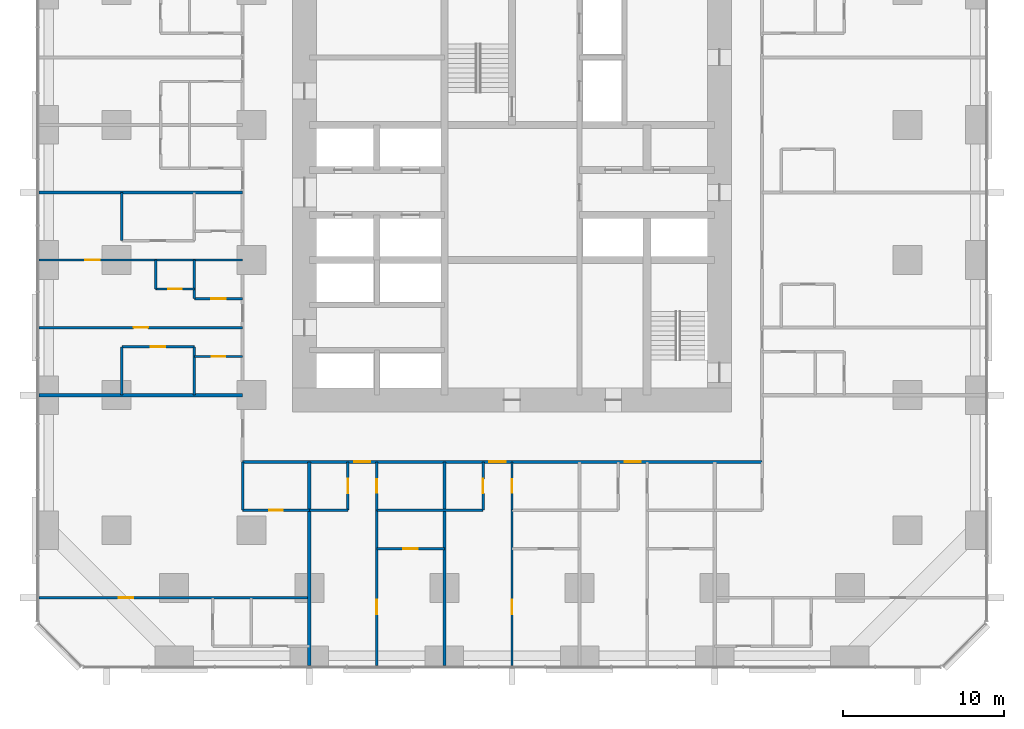
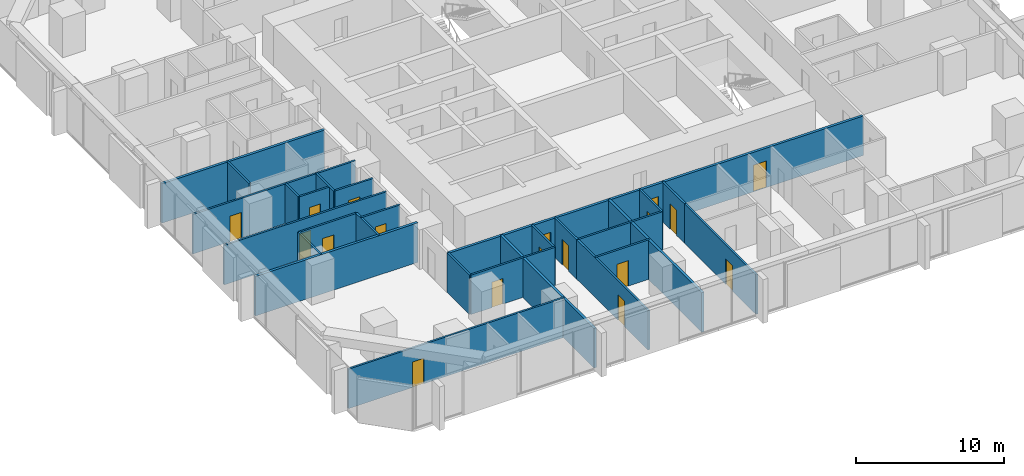
# One storey, part 11 of 17: 28 walls, 18 doors, 18 openings.
"""IFC4 building model written with IfcOpenShell, lengths in metres."""

import ifcopenshell
import ifcopenshell.guid

model = None  # the IFC model being written
_history = None  # IfcOwnerHistory: only IFC2X3 demands one
_inside = {}  # id of a spatial element -> (the spatial element, [elements in it])
_under = {}  # id of a project, library or spatial element -> (it, [spatial elements below it])
_declared = {}  # id of a project -> (the project, [libraries it declares])
_typed = {}  # id of a type object -> (the type object, [elements of that type])
_made_of = {}  # id of a material, layer set ... -> (it, [elements and type objects made of it])


def new_model(schema):
    """Start an empty IFC model of exactly this schema.

    Asked for "IFC4X3", IfcOpenShell would pick the latest addendum, in which some entities
    have other attributes; the version numbers below select the first issue.
    IFC2X3 requires an IfcOwnerHistory on every rooted entity: one is made here for all.
    """
    global model, _history
    if schema == "IFC4X3":
        model = ifcopenshell.file(schema_version=(4, 3, 0, 0))
    else:
        model = ifcopenshell.file(schema=schema)
    _inside.clear()
    _under.clear()
    _declared.clear()
    _typed.clear()
    _made_of.clear()
    _history = None
    if model.schema == "IFC2X3":
        org = make("IfcOrganization", Name="unknown")
        user = make(
            "IfcPersonAndOrganization",
            ThePerson=make("IfcPerson", FamilyName="unknown"),
            TheOrganization=org,
        )
        app = make(
            "IfcApplication",
            ApplicationDeveloper=org,
            Version="unknown",
            ApplicationFullName="unknown",
            ApplicationIdentifier="unknown",
        )
        _history = make(
            "IfcOwnerHistory",
            OwningUser=user,
            OwningApplication=app,
            ChangeAction="ADDED",
            CreationDate=0,
        )
    return model


def make(cls, **values):
    """One entity of the class cls with the attributes given. An attribute that is None is left unset."""
    return model.create_entity(
        cls, **{name: value for name, value in values.items() if value is not None}
    )


def rooted(cls, **values):
    """An entity with a GlobalId (a new one), such as an element, a storey or a relation."""
    return make(cls, GlobalId=ifcopenshell.guid.new(), OwnerHistory=_history, **values)


def si_unit(unit_type, name, prefix=None):
    """IfcSIUnit, for example si_unit("LENGTHUNIT", "METRE", prefix="MILLI")."""
    return make("IfcSIUnit", UnitType=unit_type, Prefix=prefix, Name=name)


def assignment(units):
    """IfcUnitAssignment: the units of a project."""
    return None if units is None else make("IfcUnitAssignment", Units=units)


def point(xyz):
    """IfcCartesianPoint."""
    return None if xyz is None else make("IfcCartesianPoint", Coordinates=xyz)


def direction(xyz):
    """IfcDirection."""
    return None if xyz is None else make("IfcDirection", DirectionRatios=xyz)


def frame(location, z_axis=None, x_axis=None):
    """IfcAxis2Placement3D, a coordinate frame: its origin and axes. An axis left out is left unset."""
    return make(
        "IfcAxis2Placement3D",
        Location=point(location),
        Axis=direction(z_axis),
        RefDirection=direction(x_axis),
    )


def frame_2d(location, x_axis=None):
    """IfcAxis2Placement2D, a coordinate frame in the plane: its origin and x axis."""
    return make(
        "IfcAxis2Placement2D", Location=point(location), RefDirection=direction(x_axis)
    )


def origin():
    """The frame at (0, 0, 0) with its axes left unset."""
    return frame((0.0, 0.0, 0.0))


def place(relative_to, where):
    """IfcLocalPlacement: puts the frame where relative to a parent placement (None: the world)."""
    return make(
        "IfcLocalPlacement", PlacementRelTo=relative_to, RelativePlacement=where
    )


def context(
    kind, dimensions, precision=None, world=None, true_north=None, identifier=None
):
    """IfcGeometricRepresentationContext, for example the 3D "Model" context."""
    return make(
        "IfcGeometricRepresentationContext",
        ContextIdentifier=identifier,
        ContextType=kind,
        CoordinateSpaceDimension=dimensions,
        Precision=precision,
        WorldCoordinateSystem=world,
        TrueNorth=true_north,
    )


def subcontext(parent, identifier, kind, view, scale=None):
    """IfcGeometricRepresentationSubContext, for example "Body" below "Model"."""
    return make(
        "IfcGeometricRepresentationSubContext",
        ContextIdentifier=identifier,
        ContextType=kind,
        ParentContext=parent,
        TargetScale=scale,
        TargetView=view,
    )


def project(units=None, contexts=None):
    """IfcProject with its units and contexts."""
    return rooted(
        "IfcProject",
        Name="project",
        RepresentationContexts=contexts,
        UnitsInContext=assignment(units),
    )


def spatial(cls, under=None, at=None, **own):
    """A site, building, storey or space (cls), placed at a placement, below another one or the project."""
    s = rooted(cls, ObjectPlacement=at, **own)
    if under is not None:
        _under.setdefault(under.id(), (under, []))[1].append(s)
    return s


def profile(cls, at=None, kind="AREA", **sizes):
    """A parametric profile (cls). Its sizes go by their IFC names, for example OverallWidth=200.0."""
    return make(cls, ProfileType=kind, Position=at, **sizes)


def rectangle(**sizes):
    """IfcRectangleProfileDef."""
    return profile("IfcRectangleProfileDef", **sizes)


def extrude(swept, where, along, depth):
    """IfcExtrudedAreaSolid: the profile swept, set in the frame where, extruded along a direction by depth."""
    return make(
        "IfcExtrudedAreaSolid",
        SweptArea=swept,
        Position=where,
        ExtrudedDirection=direction(along),
        Depth=depth,
    )


def shape(context_of_items, identifier, shape_type, items):
    """IfcShapeRepresentation: the items that make up one representation, for example the "Body"."""
    return make(
        "IfcShapeRepresentation",
        ContextOfItems=context_of_items,
        RepresentationIdentifier=identifier,
        RepresentationType=shape_type,
        Items=items,
    )


def material(Name=None, Category=None):
    """IfcMaterial."""
    return make("IfcMaterial", Name=Name, Category=Category)


def layer(
    of_material, thickness, ventilated=None, Name=None, Category=None, Priority=None
):
    """IfcMaterialLayer: one layer of a wall or slab, of a material (None: an air gap)."""
    return make(
        "IfcMaterialLayer",
        Material=of_material,
        LayerThickness=thickness,
        IsVentilated=ventilated,
        Name=Name,
        Category=Category,
        Priority=Priority,
    )


def layer_set(layers, Name=None):
    """IfcMaterialLayerSet."""
    return make("IfcMaterialLayerSet", MaterialLayers=layers, LayerSetName=Name)


def made_of(thing, what):
    """Note that an element or type object is made of a material, layer set ...; save() writes the relation."""
    if what is not None:
        _made_of.setdefault(what.id(), (what, []))[1].append(thing)
    return thing


def type_object(cls, material=None, **own):
    """A type object (cls), such as IfcWallType, which elements share."""
    return made_of(rooted(cls, **own), material)


def element(
    cls,
    number,
    at=None,
    inside=None,
    cuts=None,
    type_object=None,
    material=None,
    context=None,
    identifier="Body",
    shape_type=None,
    held_by="IfcProductDefinitionShape",
    body=None,
    shapes=None,
    **own,
):
    """One element of the class cls, such as IfcWall. Its Tag is "e" and its number.

    at: its placement. inside: the storey or other place that contains it. cuts: it is an
    opening in that element (IfcRelVoidsElement). A single representation is given by context,
    identifier, shape_type and body (its items); several are given by shapes. held_by: the class
    of the entity that holds the representations. save() writes the other relations.
    """
    e = rooted(cls, Tag="e%d" % number, ObjectPlacement=at, **own)
    if body is not None:
        shapes = [shape(context, identifier, shape_type, body)]
    if shapes is not None:
        e.Representation = make(held_by, Representations=shapes)
    if inside is not None:
        _inside.setdefault(inside.id(), (inside, []))[1].append(e)
    if cuts is not None:
        rooted(
            "IfcRelVoidsElement", RelatingBuildingElement=cuts, RelatedOpeningElement=e
        )
    if type_object is not None:
        _typed.setdefault(type_object.id(), (type_object, []))[1].append(e)
    return made_of(e, material)


def fill(opening, filler):
    """IfcRelFillsElement: the door or window that sits in an opening."""
    return rooted(
        "IfcRelFillsElement",
        RelatingOpeningElement=opening,
        RelatedBuildingElement=filler,
    )


def aggregate(whole, parts):
    """IfcRelAggregates: a whole, such as a stair, and the parts it consists of."""
    return rooted("IfcRelAggregates", RelatingObject=whole, RelatedObjects=parts)


def save(model, path):
    """Write the relations noted so far, then the file.

    IfcRelAggregates (storeys below a building ...), IfcRelContainedInSpatialStructure (elements
    in a storey), IfcRelDefinesByType, IfcRelAssociatesMaterial and IfcRelDeclares: one each for
    every whole, place, type object, material and project.
    """
    for whole, parts in _under.values():
        aggregate(whole, parts)
    for where, things in _inside.values():
        rooted(
            "IfcRelContainedInSpatialStructure",
            RelatedElements=things,
            RelatingStructure=where,
        )
    for kind, things in _typed.values():
        rooted("IfcRelDefinesByType", RelatedObjects=things, RelatingType=kind)
    for what, things in _made_of.values():
        rooted("IfcRelAssociatesMaterial", RelatedObjects=things, RelatingMaterial=what)
    for by, libraries in _declared.values():
        rooted("IfcRelDeclares", RelatingContext=by, RelatedDefinitions=libraries)
    model.write(path)


model = new_model("IFC4")

# Units and contexts
model_context = context("Model", 3, precision=1e-05, world=origin(), true_north=direction((0.0, 1.0)))
body_context = subcontext(model_context, "Body", "Model", "MODEL_VIEW")
ifc_project = project(units=[si_unit("LENGTHUNIT", "METRE"), si_unit("AREAUNIT", "SQUARE_METRE"), si_unit("VOLUMEUNIT", "CUBIC_METRE"), si_unit("PLANEANGLEUNIT", "RADIAN"), si_unit("MASSUNIT", "GRAM", prefix="KILO")], contexts=[model_context])

# Site, building, storey
site_placement = place(None, origin())
site = spatial("IfcSite", under=ifc_project, at=site_placement, CompositionType="ELEMENT")
building_placement = place(site_placement, origin())
building = spatial("IfcBuilding", under=site, at=building_placement, Name="Dunama Terrace Hotel", CompositionType="ELEMENT")
storey_placement = place(building_placement, frame((0.0, 0.0, 52.199951171875)))
storey = spatial("IfcBuildingStorey", under=building, at=storey_placement, Name="L12", CompositionType="ELEMENT", Elevation=52.199951171875)

# Walls
ifc_material_1 = material(Name="Gypsum board partition", Category="masonry")
ifc_layer_1 = layer(ifc_material_1, 0.14990234375)
ifc_layer_set_1 = layer_set([ifc_layer_1], Name="Bathroom partition 150")
wall_type_1 = type_object("IfcWallType", Name="Bathroom partition 150", PredefinedType="PARTITIONING", material=ifc_layer_set_1)
wall_1_placement = place(storey_placement, frame((7.25, 23.39990234375, 0.0), z_axis=(0.0, 0.0, 1.0), x_axis=(0.0, 1.0, 0.0)))
element("IfcWall", 1, at=wall_1_placement, inside=storey, type_object=wall_type_1, Name="Bathroom partition 150 L12", PredefinedType="PARTITIONING", context=body_context, shape_type="SweptSolid", body=[
    extrude(rectangle(XDim=1.800048828125, YDim=0.14990234375, at=frame_2d((0.89990234375, 0.0))), origin(), (0.0, 0.0, 1.0), 3.25),
])
wall_2_placement = place(storey_placement, frame((12.64990234375, 9.64990234375, 0.0), z_axis=(0.0, 0.0, 1.0), x_axis=(0.0, 1.0, 0.0)))
element("IfcWall", 2, at=wall_2_placement, inside=storey, type_object=wall_type_1, Name="Bathroom partition 150 L12", PredefinedType="PARTITIONING", context=body_context, shape_type="SweptSolid", body=[
    extrude(rectangle(XDim=3.0, YDim=0.14990234375, at=frame_2d((1.5, 0.0))), origin(), (0.0, 0.0, 1.0), 3.25),
])

# Wall, opening, door
wall_3_placement = place(storey_placement, frame((21.0, 9.64990234375, 0.0), z_axis=(0.0, 0.0, 1.0), x_axis=(0.0, 1.0, 0.0)))
wall_3 = element("IfcWall", 3, at=wall_3_placement, inside=storey, type_object=wall_type_1, Name="Bathroom partition 150 L12", PredefinedType="PARTITIONING", context=body_context, shape_type="SweptSolid", body=[
    extrude(rectangle(XDim=3.0, YDim=0.14990234375, at=frame_2d((1.5, 0.0))), origin(), (0.0, 0.0, 1.0), 3.25),
])
opening_1_placement = place(wall_3_placement, frame((1.074951171875, 0.0, 0.0)))
opening_1 = element("IfcOpeningElement", 4, at=opening_1_placement, cuts=wall_3, Name="Opening L12-011", PredefinedType="OPENING", context=body_context, shape_type="SweptSolid", body=[
    extrude(rectangle(XDim=0.85009765625, YDim=2.10009765625, at=frame_2d((0.425048828125, 1.050048828125))), frame((0.0, 0.0849609375, 0.0), z_axis=(0.0, -1.0, 0.0), x_axis=(1.0, 0.0, 0.0)), (0.0, 0.0, 1.0), 0.169921875),
])
ifc_material_2 = material(Name="Timber door with steel frame", Category="steel")
door_type_1 = type_object("IfcDoorType", Name="Bathroom door 850", OperationType="SINGLE_SWING_LEFT", PredefinedType="DOOR", material=ifc_material_2)
door_1_placement = place(opening_1_placement, frame((0.85009765625, 0.0, 0.0), z_axis=(0.0, 0.0, 1.0), x_axis=(-1.0, 0.0, 0.0)))
door_1 = element("IfcDoor", 5, at=door_1_placement, inside=storey, type_object=door_type_1, Name="Door to residence bathroom L12-011, type D2", OperationType="SINGLE_SWING_LEFT", OverallHeight=2.10009765625, OverallWidth=0.85009765625, PredefinedType="DOOR", context=body_context, shape_type="SweptSolid", body=[
    extrude(rectangle(XDim=0.85009765625, YDim=2.10009765625, at=frame_2d((0.425048828125, 1.050048828125))), frame((0.0, 0.025146484375, 0.0), z_axis=(0.0, -1.0, 0.0), x_axis=(1.0, 0.0, 0.0)), (0.0, 0.0, 1.0), 0.050048828125),
])
fill(opening_1, door_1)

wall_4_placement = place(storey_placement, frame((29.39990234375, 9.64990234375, 0.0), z_axis=(0.0, 0.0, 1.0), x_axis=(0.0, 1.0, 0.0)))
wall_4 = element("IfcWall", 6, at=wall_4_placement, inside=storey, type_object=wall_type_1, Name="Bathroom partition 150 L12", PredefinedType="PARTITIONING", context=body_context, shape_type="SweptSolid", body=[
    extrude(rectangle(XDim=3.0, YDim=0.14990234375, at=frame_2d((1.5, 0.0))), origin(), (0.0, 0.0, 1.0), 3.25),
])
opening_2_placement = place(wall_4_placement, frame((1.074951171875, 0.0, 0.0)))
opening_2 = element("IfcOpeningElement", 7, at=opening_2_placement, cuts=wall_4, Name="Opening L12-016", PredefinedType="OPENING", context=body_context, shape_type="SweptSolid", body=[
    extrude(rectangle(XDim=0.85009765625, YDim=2.10009765625, at=frame_2d((0.425048828125, 1.050048828125))), frame((0.0, 0.0849609375, 0.0), z_axis=(0.0, -1.0, 0.0), x_axis=(1.0, 0.0, 0.0)), (0.0, 0.0, 1.0), 0.169921875),
])
door_2_placement = place(opening_2_placement, frame((0.85009765625, 0.0, 0.0), z_axis=(0.0, 0.0, 1.0), x_axis=(-1.0, 0.0, 0.0)))
door_2 = element("IfcDoor", 8, at=door_2_placement, inside=storey, type_object=door_type_1, Name="Door to residence bathroom L12-016, type D2", OperationType="SINGLE_SWING_LEFT", OverallHeight=2.10009765625, OverallWidth=0.85009765625, PredefinedType="DOOR", context=body_context, shape_type="SweptSolid", body=[
    extrude(rectangle(XDim=0.85009765625, YDim=2.10009765625, at=frame_2d((0.425048828125, 1.050048828125))), frame((0.0, 0.025146484375, 0.0), z_axis=(0.0, -1.0, 0.0), x_axis=(1.0, 0.0, 0.0)), (0.0, 0.0, 1.0), 0.050048828125),
])
fill(opening_2, door_2)

wall_5_placement = place(storey_placement, frame((12.64990234375, 9.64990234375, 0.0), z_axis=(0.0, 0.0, 1.0), x_axis=(1.0, 0.0, 0.0)))
wall_5 = element("IfcWall", 9, at=wall_5_placement, inside=storey, type_object=wall_type_1, Name="Bathroom partition 150 L12", PredefinedType="PARTITIONING", context=body_context, shape_type="SweptSolid", body=[
    extrude(rectangle(XDim=4.150146484375, YDim=0.14990234375, at=frame_2d((2.0751953125, 0.0))), origin(), (0.0, 0.0, 1.0), 3.25),
])
opening_3_placement = place(wall_5_placement, frame((1.64990234375, 0.0, 0.0)))
opening_3 = element("IfcOpeningElement", 10, at=opening_3_placement, cuts=wall_5, Name="Opening L12-068", PredefinedType="OPENING", context=body_context, shape_type="SweptSolid", body=[
    extrude(rectangle(XDim=0.85009765625, YDim=2.10009765625, at=frame_2d((0.425048828125, 1.050048828125))), frame((0.0, 0.0849609375, 0.0), z_axis=(0.0, -1.0, 0.0), x_axis=(1.0, 0.0, 0.0)), (0.0, 0.0, 1.0), 0.169921875),
])
door_3_placement = place(opening_3_placement, origin())
door_3 = element("IfcDoor", 11, at=door_3_placement, inside=storey, type_object=door_type_1, Name="Door to powder room L12-068, type D2", OperationType="SINGLE_SWING_LEFT", OverallHeight=2.10009765625, OverallWidth=0.85009765625, PredefinedType="DOOR", context=body_context, shape_type="SweptSolid", body=[
    extrude(rectangle(XDim=0.85009765625, YDim=2.10009765625, at=frame_2d((0.425048828125, 1.050048828125))), frame((0.0, 0.02490234375, 0.0), z_axis=(0.0, -1.0, 0.0), x_axis=(1.0, 0.0, 0.0)), (0.0, 0.0, 1.0), 0.050048828125),
])
fill(opening_3, door_3)

wall_6_placement = place(storey_placement, frame((9.64990234375, 19.199951171875, 0.0), z_axis=(0.0, 0.0, 1.0), x_axis=(1.0, 0.0, 0.0)))
wall_6 = element("IfcWall", 12, at=wall_6_placement, inside=storey, type_object=wall_type_1, Name="Bathroom partition 150 L12", PredefinedType="PARTITIONING", context=body_context, shape_type="SweptSolid", body=[
    extrude(rectangle(XDim=3.0, YDim=0.14990234375, at=frame_2d((1.5, 0.0))), origin(), (0.0, 0.0, 1.0), 3.25),
])
opening_4_placement = place(wall_6_placement, frame((1.074951171875, 0.0, 0.0)))
opening_4 = element("IfcOpeningElement", 13, at=opening_4_placement, cuts=wall_6, Name="Opening L12-056", PredefinedType="OPENING", context=body_context, shape_type="SweptSolid", body=[
    extrude(rectangle(XDim=0.85009765625, YDim=2.10009765625, at=frame_2d((0.425048828125, 1.050048828125))), frame((0.0, 0.0849609375, 0.0), z_axis=(0.0, -1.0, 0.0), x_axis=(1.0, 0.0, 0.0)), (0.0, 0.0, 1.0), 0.169921875),
])
door_4_placement = place(opening_4_placement, frame((0.85009765625, 0.0, 0.0), z_axis=(0.0, 0.0, 1.0), x_axis=(-1.0, 0.0, 0.0)))
door_4 = element("IfcDoor", 14, at=door_4_placement, inside=storey, type_object=door_type_1, Name="Door to en-suite bathroom L12-056, type D2", OperationType="SINGLE_SWING_LEFT", OverallHeight=2.10009765625, OverallWidth=0.85009765625, PredefinedType="DOOR", context=body_context, shape_type="SweptSolid", body=[
    extrude(rectangle(XDim=0.85009765625, YDim=2.10009765625, at=frame_2d((0.425048828125, 1.050048828125))), frame((0.0, 0.025146484375, 0.0), z_axis=(0.0, -1.0, 0.0), x_axis=(1.0, 0.0, 0.0)), (0.0, 0.0, 1.0), 0.050048828125),
])
fill(opening_4, door_4)

wall_7_placement = place(storey_placement, frame((7.25, 23.39990234375, 0.0), z_axis=(0.0, 0.0, 1.0), x_axis=(1.0, 0.0, 0.0)))
wall_7 = element("IfcWall", 15, at=wall_7_placement, inside=storey, type_object=wall_type_1, Name="Bathroom partition 150 L12", PredefinedType="PARTITIONING", context=body_context, shape_type="SweptSolid", body=[
    extrude(rectangle(XDim=2.39990234375, YDim=0.14990234375, at=frame_2d((1.199951171875, 0.0))), origin(), (0.0, 0.0, 1.0), 3.25),
])
opening_5_placement = place(wall_7_placement, frame((0.77490234375, 0.0, 0.0)))
opening_5 = element("IfcOpeningElement", 16, at=opening_5_placement, cuts=wall_7, Name="Opening L12-051", PredefinedType="OPENING", context=body_context, shape_type="SweptSolid", body=[
    extrude(rectangle(XDim=0.85009765625, YDim=2.10009765625, at=frame_2d((0.425048828125, 1.050048828125))), frame((0.0, 0.0849609375, 0.0), z_axis=(0.0, -1.0, 0.0), x_axis=(1.0, 0.0, 0.0)), (0.0, 0.0, 1.0), 0.169921875),
])
door_5_placement = place(opening_5_placement, origin())
door_5 = element("IfcDoor", 17, at=door_5_placement, inside=storey, type_object=door_type_1, Name="Door to two-bedroom residence guest wc L12-051, type D2", OperationType="SINGLE_SWING_LEFT", OverallHeight=2.10009765625, OverallWidth=0.85009765625, PredefinedType="DOOR", context=body_context, shape_type="SweptSolid", body=[
    extrude(rectangle(XDim=0.85009765625, YDim=2.10009765625, at=frame_2d((0.425048828125, 1.050048828125))), frame((0.0, 0.02490234375, 0.0), z_axis=(0.0, -1.0, 0.0), x_axis=(1.0, 0.0, 0.0)), (0.0, 0.0, 1.0), 0.050048828125),
])
fill(opening_5, door_5)

# Wall, openings, doors
ifc_material_3 = material(Name="Concrete blockwork", Category="masonry")
ifc_layer_2 = layer(ifc_material_3, 0.199951171875)
ifc_layer_set_2 = layer_set([ifc_layer_2], Name="Corridor partition 200")
wall_type_2 = type_object("IfcWallType", Name="Corridor partition 200", PredefinedType="PARTITIONING", material=ifc_layer_set_2)
wall_8_placement = place(storey_placement, frame((44.949951171875, 12.64990234375, 0.0), z_axis=(0.0, 0.0, 1.0), x_axis=(-1.0, 0.0, 0.0)))
wall_8 = element("IfcWall", 18, at=wall_8_placement, inside=storey, type_object=wall_type_2, Name="Corridor partition 200 L12", PredefinedType="PARTITIONING", context=body_context, shape_type="SweptSolid", body=[
    extrude(rectangle(XDim=32.300048828125, YDim=0.199951171875, at=frame_2d((16.14990234375, 0.0))), origin(), (0.0, 0.0, 1.0), 3.25),
])
opening_6_placement = place(wall_8_placement, frame((24.35009765625, 0.0, 0.0)))
opening_6 = element("IfcOpeningElement", 19, at=opening_6_placement, cuts=wall_8, Name="Opening L12-009", PredefinedType="OPENING", context=body_context, shape_type="SweptSolid", body=[
    extrude(rectangle(XDim=1.0, YDim=2.199951171875, at=frame_2d((0.5, 1.10009765625))), frame((0.0, 0.10986328125, 0.0), z_axis=(0.0, -1.0, 0.0), x_axis=(1.0, 0.0, 0.0)), (0.0, 0.0, 1.0), 0.219970703125),
])
opening_7_placement = place(wall_8_placement, frame((15.949951171875, 0.0, 0.0)))
opening_7 = element("IfcOpeningElement", 20, at=opening_7_placement, cuts=wall_8, Name="Opening L12-014", PredefinedType="OPENING", context=body_context, shape_type="SweptSolid", body=[
    extrude(rectangle(XDim=1.0, YDim=2.199951171875, at=frame_2d((0.5, 1.10009765625))), frame((0.0, 0.10986328125, 0.0), z_axis=(0.0, -1.0, 0.0), x_axis=(1.0, 0.0, 0.0)), (0.0, 0.0, 1.0), 0.219970703125),
])
opening_8_placement = place(wall_8_placement, frame((7.550048828125, 0.0, 0.0)))
opening_8 = element("IfcOpeningElement", 21, at=opening_8_placement, cuts=wall_8, Name="Opening L12-019", PredefinedType="OPENING", context=body_context, shape_type="SweptSolid", body=[
    extrude(rectangle(XDim=1.0, YDim=2.199951171875, at=frame_2d((0.5, 1.10009765625))), frame((0.0, 0.10986328125, 0.0), z_axis=(0.0, -1.0, 0.0), x_axis=(1.0, 0.0, 0.0)), (0.0, 0.0, 1.0), 0.219970703125),
])
ifc_material_4 = material(Name="Timber door with steel frame", Category="steel")
door_type_2 = type_object("IfcDoorType", Name="Guest room door 1000", OperationType="SINGLE_SWING_LEFT", PredefinedType="DOOR", material=ifc_material_4)
door_6_placement = place(opening_6_placement, origin())
door_6 = element("IfcDoor", 22, at=door_6_placement, inside=storey, type_object=door_type_2, Name="Door to residence living room L12-009, type D1", OperationType="SINGLE_SWING_LEFT", OverallHeight=2.199951171875, OverallWidth=1.0, PredefinedType="DOOR", context=body_context, shape_type="SweptSolid", body=[
    extrude(rectangle(XDim=1.0, YDim=2.199951171875, at=frame_2d((0.5, 1.10009765625))), frame((0.0, 0.02490234375, 0.0), z_axis=(0.0, -1.0, 0.0), x_axis=(1.0, 0.0, 0.0)), (0.0, 0.0, 1.0), 0.050048828125),
])
fill(opening_6, door_6)
door_7_placement = place(opening_7_placement, origin())
door_7 = element("IfcDoor", 23, at=door_7_placement, inside=storey, type_object=door_type_2, Name="Door to residence living room L12-014, type D1", OperationType="SINGLE_SWING_LEFT", OverallHeight=2.199951171875, OverallWidth=1.0, PredefinedType="DOOR", context=body_context, shape_type="SweptSolid", body=[
    extrude(rectangle(XDim=1.0, YDim=2.199951171875, at=frame_2d((0.5, 1.10009765625))), frame((0.0, 0.02490234375, 0.0), z_axis=(0.0, -1.0, 0.0), x_axis=(1.0, 0.0, 0.0)), (0.0, 0.0, 1.0), 0.050048828125),
])
fill(opening_7, door_7)
door_8_placement = place(opening_8_placement, origin())
door_8 = element("IfcDoor", 24, at=door_8_placement, inside=storey, type_object=door_type_2, Name="Door to residence living room L12-019, type D1", OperationType="SINGLE_SWING_LEFT", OverallHeight=2.199951171875, OverallWidth=1.0, PredefinedType="DOOR", context=body_context, shape_type="SweptSolid", body=[
    extrude(rectangle(XDim=1.0, YDim=2.199951171875, at=frame_2d((0.5, 1.10009765625))), frame((0.0, 0.02490234375, 0.0), z_axis=(0.0, -1.0, 0.0), x_axis=(1.0, 0.0, 0.0)), (0.0, 0.0, 1.0), 0.050048828125),
])
fill(opening_8, door_8)

# Walls
ifc_material_5 = material(Name="Concrete blockwork", Category="masonry")
ifc_layer_3 = layer(ifc_material_5, 0.199951171875)
ifc_layer_set_3 = layer_set([ifc_layer_3], Name="Party wall 200")
wall_type_3 = type_object("IfcWallType", Name="Party wall 200", PredefinedType="PARTITIONING", material=ifc_layer_set_3)
for number, where, z_axis, x_axis, name in (
    (25, (16.800048828125, -0.008056640625, 0.0), (0.0, 0.0, 1.0), (0.0, 1.0, 0.0), "Party wall 200 L12"),
    (26, (25.199951171875, -0.008056640625, 0.0), (0.0, 0.0, 1.0), (0.0, 1.0, 0.0), "Party wall 200 L12"),
    (27, (-0.008056640625, 16.800048828125, 0.0), (0.0, 0.0, 1.0), (1.0, 0.0, 0.0), "Party wall 200 L12"),
    (28, (-0.008056640625, 29.39990234375, 0.0), (0.0, 0.0, 1.0), (1.0, 0.0, 0.0), "Party wall 200 L12"),
):
    element("IfcWall", number, at=place(storey_placement, frame(where, z_axis=z_axis, x_axis=x_axis)), inside=storey, type_object=wall_type_3, Name=name, PredefinedType="PARTITIONING", context=body_context, shape_type="SweptSolid", body=[
        extrude(rectangle(XDim=12.657958984375, YDim=0.199951171875, at=frame_2d((6.3291015625, 0.0))), origin(), (0.0, 0.0, 1.0), 3.25),
    ])
ifc_material_6 = material(Name="Gypsum board partition", Category="masonry")
ifc_layer_4 = layer(ifc_material_6, 0.14990234375)
ifc_layer_set_4 = layer_set([ifc_layer_4], Name="Room partition 150")
wall_type_4 = type_object("IfcWallType", Name="Room partition 150", PredefinedType="PARTITIONING", material=ifc_layer_set_4)
for number, where, z_axis, x_axis, name in (
    (29, (5.14990234375, 16.800048828125, 0.0), (0.0, 0.0, 1.0), (0.0, 1.0, 0.0), "Room partition 150 L12"),
    (30, (5.14990234375, 26.39990234375, 0.0), (0.0, 0.0, 1.0), (0.0, 1.0, 0.0), "Room partition 150 L12"),
    (31, (9.64990234375, 16.800048828125, 0.0), (0.0, 0.0, 1.0), (0.0, 1.0, 0.0), "Room partition 150 L12"),
):
    element("IfcWall", number, at=place(storey_placement, frame(where, z_axis=z_axis, x_axis=x_axis)), inside=storey, type_object=wall_type_4, Name=name, PredefinedType="PARTITIONING", context=body_context, shape_type="SweptSolid", body=[
        extrude(rectangle(XDim=3.0, YDim=0.14990234375, at=frame_2d((1.5, 0.0))), origin(), (0.0, 0.0, 1.0), 3.25),
    ])
wall_9_placement = place(storey_placement, frame((9.64990234375, 22.800048828125, 0.0), z_axis=(0.0, 0.0, 1.0), x_axis=(0.0, 1.0, 0.0)))
element("IfcWall", 32, at=wall_9_placement, inside=storey, type_object=wall_type_4, Name="Room partition 150 L12", PredefinedType="PARTITIONING", context=body_context, shape_type="SweptSolid", body=[
    extrude(rectangle(XDim=2.39990234375, YDim=0.14990234375, at=frame_2d((1.199951171875, 0.0))), origin(), (0.0, 0.0, 1.0), 3.25),
])

# Wall, opening, door
wall_10_placement = place(storey_placement, frame((19.199951171875, 9.64990234375, 0.0), z_axis=(0.0, 0.0, 1.0), x_axis=(0.0, 1.0, 0.0)))
wall_10 = element("IfcWall", 33, at=wall_10_placement, inside=storey, type_object=wall_type_4, Name="Room partition 150 L12", PredefinedType="PARTITIONING", context=body_context, shape_type="SweptSolid", body=[
    extrude(rectangle(XDim=3.0, YDim=0.14990234375, at=frame_2d((1.5, 0.0))), origin(), (0.0, 0.0, 1.0), 3.25),
])
opening_9_placement = place(wall_10_placement, frame((1.050048828125, 0.0, 0.0)))
opening_9 = element("IfcOpeningElement", 34, at=opening_9_placement, cuts=wall_10, Name="Opening L12-010", PredefinedType="OPENING", context=body_context, shape_type="SweptSolid", body=[
    extrude(rectangle(XDim=0.89990234375, YDim=2.10009765625, at=frame_2d((0.449951171875, 1.050048828125))), frame((0.0, 0.0849609375, 0.0), z_axis=(0.0, -1.0, 0.0), x_axis=(1.0, 0.0, 0.0)), (0.0, 0.0, 1.0), 0.169921875),
])
ifc_material_7 = material(Name="Timber door with steel frame", Category="steel")
door_type_3 = type_object("IfcDoorType", Name="Suite internal door 900", OperationType="SINGLE_SWING_LEFT", PredefinedType="DOOR", material=ifc_material_7)
door_9_placement = place(opening_9_placement, origin())
door_9 = element("IfcDoor", 35, at=door_9_placement, inside=storey, type_object=door_type_3, Name="Door to residence kitchen L12-010, type D16", OperationType="SINGLE_SWING_RIGHT", OverallHeight=2.10009765625, OverallWidth=0.89990234375, PredefinedType="DOOR", context=body_context, shape_type="SweptSolid", body=[
    extrude(rectangle(XDim=0.89990234375, YDim=2.10009765625, at=frame_2d((0.449951171875, 1.050048828125))), frame((0.0, 0.02490234375, 0.0), z_axis=(0.0, -1.0, 0.0), x_axis=(1.0, 0.0, 0.0)), (0.0, 0.0, 1.0), 0.050048828125),
])
fill(opening_9, door_9)

wall_11_placement = place(storey_placement, frame((21.0, -0.008056640625, 0.0), z_axis=(0.0, 0.0, 1.0), x_axis=(0.0, 1.0, 0.0)))
wall_11 = element("IfcWall", 36, at=wall_11_placement, inside=storey, type_object=wall_type_4, Name="Room partition 150 L12", PredefinedType="PARTITIONING", context=body_context, shape_type="SweptSolid", body=[
    extrude(rectangle(XDim=9.657958984375, YDim=0.14990234375, at=frame_2d((4.8291015625, 0.0))), origin(), (0.0, 0.0, 1.0), 3.25),
])
opening_10_placement = place(wall_11_placement, frame((3.18310546875, 0.0, 0.0)))
opening_10 = element("IfcOpeningElement", 37, at=opening_10_placement, cuts=wall_11, Name="Opening L12-013", PredefinedType="OPENING", context=body_context, shape_type="SweptSolid", body=[
    extrude(rectangle(XDim=0.89990234375, YDim=2.10009765625, at=frame_2d((0.449951171875, 1.050048828125))), frame((0.0, 0.0849609375, 0.0), z_axis=(0.0, -1.0, 0.0), x_axis=(1.0, 0.0, 0.0)), (0.0, 0.0, 1.0), 0.169921875),
])
door_10_placement = place(opening_10_placement, frame((0.89990234375, 0.0, 0.0), z_axis=(0.0, 0.0, 1.0), x_axis=(-1.0, 0.0, 0.0)))
door_10 = element("IfcDoor", 38, at=door_10_placement, inside=storey, type_object=door_type_3, Name="Door to residence bedroom L12-013, type D16", OperationType="SINGLE_SWING_LEFT", OverallHeight=2.10009765625, OverallWidth=0.89990234375, PredefinedType="DOOR", context=body_context, shape_type="SweptSolid", body=[
    extrude(rectangle(XDim=0.89990234375, YDim=2.10009765625, at=frame_2d((0.449951171875, 1.050048828125))), frame((0.0, 0.025146484375, 0.0), z_axis=(0.0, -1.0, 0.0), x_axis=(1.0, 0.0, 0.0)), (0.0, 0.0, 1.0), 0.050048828125),
])
fill(opening_10, door_10)

wall_12_placement = place(storey_placement, frame((27.60009765625, 9.64990234375, 0.0), z_axis=(0.0, 0.0, 1.0), x_axis=(0.0, 1.0, 0.0)))
wall_12 = element("IfcWall", 39, at=wall_12_placement, inside=storey, type_object=wall_type_4, Name="Room partition 150 L12", PredefinedType="PARTITIONING", context=body_context, shape_type="SweptSolid", body=[
    extrude(rectangle(XDim=3.0, YDim=0.14990234375, at=frame_2d((1.5, 0.0))), origin(), (0.0, 0.0, 1.0), 3.25),
])
opening_11_placement = place(wall_12_placement, frame((1.050048828125, 0.0, 0.0)))
opening_11 = element("IfcOpeningElement", 40, at=opening_11_placement, cuts=wall_12, Name="Opening L12-015", PredefinedType="OPENING", context=body_context, shape_type="SweptSolid", body=[
    extrude(rectangle(XDim=0.89990234375, YDim=2.10009765625, at=frame_2d((0.449951171875, 1.050048828125))), frame((0.0, 0.0849609375, 0.0), z_axis=(0.0, -1.0, 0.0), x_axis=(1.0, 0.0, 0.0)), (0.0, 0.0, 1.0), 0.169921875),
])
door_11_placement = place(opening_11_placement, origin())
door_11 = element("IfcDoor", 41, at=door_11_placement, inside=storey, type_object=door_type_3, Name="Door to residence kitchen L12-015, type D16", OperationType="SINGLE_SWING_RIGHT", OverallHeight=2.10009765625, OverallWidth=0.89990234375, PredefinedType="DOOR", context=body_context, shape_type="SweptSolid", body=[
    extrude(rectangle(XDim=0.89990234375, YDim=2.10009765625, at=frame_2d((0.449951171875, 1.050048828125))), frame((0.0, 0.02490234375, 0.0), z_axis=(0.0, -1.0, 0.0), x_axis=(1.0, 0.0, 0.0)), (0.0, 0.0, 1.0), 0.050048828125),
])
fill(opening_11, door_11)

wall_13_placement = place(storey_placement, frame((29.39990234375, -0.008056640625, 0.0), z_axis=(0.0, 0.0, 1.0), x_axis=(0.0, 1.0, 0.0)))
wall_13 = element("IfcWall", 42, at=wall_13_placement, inside=storey, type_object=wall_type_4, Name="Room partition 150 L12", PredefinedType="PARTITIONING", context=body_context, shape_type="SweptSolid", body=[
    extrude(rectangle(XDim=9.657958984375, YDim=0.14990234375, at=frame_2d((4.8291015625, 0.0))), origin(), (0.0, 0.0, 1.0), 3.25),
])
opening_12_placement = place(wall_13_placement, frame((3.18310546875, 0.0, 0.0)))
opening_12 = element("IfcOpeningElement", 43, at=opening_12_placement, cuts=wall_13, Name="Opening L12-018", PredefinedType="OPENING", context=body_context, shape_type="SweptSolid", body=[
    extrude(rectangle(XDim=0.89990234375, YDim=2.10009765625, at=frame_2d((0.449951171875, 1.050048828125))), frame((0.0, 0.0849609375, 0.0), z_axis=(0.0, -1.0, 0.0), x_axis=(1.0, 0.0, 0.0)), (0.0, 0.0, 1.0), 0.169921875),
])
door_12_placement = place(opening_12_placement, frame((0.89990234375, 0.0, 0.0), z_axis=(0.0, 0.0, 1.0), x_axis=(-1.0, 0.0, 0.0)))
door_12 = element("IfcDoor", 44, at=door_12_placement, inside=storey, type_object=door_type_3, Name="Door to residence bedroom L12-018, type D16", OperationType="SINGLE_SWING_LEFT", OverallHeight=2.10009765625, OverallWidth=0.89990234375, PredefinedType="DOOR", context=body_context, shape_type="SweptSolid", body=[
    extrude(rectangle(XDim=0.89990234375, YDim=2.10009765625, at=frame_2d((0.449951171875, 1.050048828125))), frame((0.0, 0.025146484375, 0.0), z_axis=(0.0, -1.0, 0.0), x_axis=(1.0, 0.0, 0.0)), (0.0, 0.0, 1.0), 0.050048828125),
])
fill(opening_12, door_12)

wall_14_placement = place(storey_placement, frame((-0.008056640625, 4.199951171875, 0.0), z_axis=(0.0, 0.0, 1.0), x_axis=(1.0, 0.0, 0.0)))
wall_14 = element("IfcWall", 45, at=wall_14_placement, inside=storey, type_object=wall_type_4, Name="Room partition 150 L12", PredefinedType="PARTITIONING", context=body_context, shape_type="SweptSolid", body=[
    extrude(rectangle(XDim=16.80810546875, YDim=0.14990234375, at=frame_2d((8.404052734375, 0.0))), origin(), (0.0, 0.0, 1.0), 3.25),
])
opening_13_placement = place(wall_14_placement, frame((4.9580078125, 0.0, 0.0)))
opening_13 = element("IfcOpeningElement", 46, at=opening_13_placement, cuts=wall_14, Name="Opening L12-069", PredefinedType="OPENING", context=body_context, shape_type="SweptSolid", body=[
    extrude(rectangle(XDim=0.89990234375, YDim=2.10009765625, at=frame_2d((0.449951171875, 1.050048828125))), frame((0.0, 0.0849609375, 0.0), z_axis=(0.0, -1.0, 0.0), x_axis=(1.0, 0.0, 0.0)), (0.0, 0.0, 1.0), 0.169921875),
])
door_13_placement = place(opening_13_placement, frame((0.89990234375, 0.0, 0.0), z_axis=(0.0, 0.0, 1.0), x_axis=(-1.0, 0.0, 0.0)))
door_13 = element("IfcDoor", 47, at=door_13_placement, inside=storey, type_object=door_type_3, Name="Door to corner suite bedroom L12-069, type D16", OperationType="SINGLE_SWING_LEFT", OverallHeight=2.10009765625, OverallWidth=0.89990234375, PredefinedType="DOOR", context=body_context, shape_type="SweptSolid", body=[
    extrude(rectangle(XDim=0.89990234375, YDim=2.10009765625, at=frame_2d((0.449951171875, 1.050048828125))), frame((0.0, 0.025146484375, 0.0), z_axis=(0.0, -1.0, 0.0), x_axis=(1.0, 0.0, 0.0)), (0.0, 0.0, 1.0), 0.050048828125),
])
fill(opening_13, door_13)

wall_15_placement = place(storey_placement, frame((21.0, 7.25, 0.0), z_axis=(0.0, 0.0, 1.0), x_axis=(1.0, 0.0, 0.0)))
wall_15 = element("IfcWall", 48, at=wall_15_placement, inside=storey, type_object=wall_type_4, Name="Room partition 150 L12", PredefinedType="PARTITIONING", context=body_context, shape_type="SweptSolid", body=[
    extrude(rectangle(XDim=4.199951171875, YDim=0.14990234375, at=frame_2d((2.10009765625, 0.0))), origin(), (0.0, 0.0, 1.0), 3.25),
])
opening_14_placement = place(wall_15_placement, frame((1.64990234375, 0.0, 0.0)))
opening_14 = element("IfcOpeningElement", 49, at=opening_14_placement, cuts=wall_15, Name="Opening L12-012", PredefinedType="OPENING", context=body_context, shape_type="SweptSolid", body=[
    extrude(rectangle(XDim=0.89990234375, YDim=2.10009765625, at=frame_2d((0.449951171875, 1.050048828125))), frame((0.0, 0.0849609375, 0.0), z_axis=(0.0, -1.0, 0.0), x_axis=(1.0, 0.0, 0.0)), (0.0, 0.0, 1.0), 0.169921875),
])
door_14_placement = place(opening_14_placement, origin())
door_14 = element("IfcDoor", 50, at=door_14_placement, inside=storey, type_object=door_type_3, Name="Door to walk-in wardrobe L12-012, type D16", OperationType="SINGLE_SWING_LEFT", OverallHeight=2.10009765625, OverallWidth=0.89990234375, PredefinedType="DOOR", context=body_context, shape_type="SweptSolid", body=[
    extrude(rectangle(XDim=0.89990234375, YDim=2.10009765625, at=frame_2d((0.449951171875, 1.050048828125))), frame((0.0, 0.02490234375, 0.0), z_axis=(0.0, -1.0, 0.0), x_axis=(1.0, 0.0, 0.0)), (0.0, 0.0, 1.0), 0.050048828125),
])
fill(opening_14, door_14)

# Walls
wall_16_placement = place(storey_placement, frame((16.800048828125, 9.64990234375, 0.0), z_axis=(0.0, 0.0, 1.0), x_axis=(1.0, 0.0, 0.0)))
element("IfcWall", 51, at=wall_16_placement, inside=storey, type_object=wall_type_4, Name="Room partition 150 L12", PredefinedType="PARTITIONING", context=body_context, shape_type="SweptSolid", body=[
    extrude(rectangle(XDim=2.39990234375, YDim=0.14990234375, at=frame_2d((1.199951171875, 0.0))), origin(), (0.0, 0.0, 1.0), 3.25),
])
wall_17_placement = place(storey_placement, frame((21.0, 9.64990234375, 0.0), z_axis=(0.0, 0.0, 1.0), x_axis=(1.0, 0.0, 0.0)))
element("IfcWall", 52, at=wall_17_placement, inside=storey, type_object=wall_type_4, Name="Room partition 150 L12", PredefinedType="PARTITIONING", context=body_context, shape_type="SweptSolid", body=[
    extrude(rectangle(XDim=6.60009765625, YDim=0.14990234375, at=frame_2d((3.300048828125, 0.0))), origin(), (0.0, 0.0, 1.0), 3.25),
])

# Wall, opening, door
wall_18_placement = place(storey_placement, frame((5.14990234375, 19.800048828125, 0.0), z_axis=(0.0, 0.0, 1.0), x_axis=(1.0, 0.0, 0.0)))
wall_18 = element("IfcWall", 53, at=wall_18_placement, inside=storey, type_object=wall_type_4, Name="Room partition 150 L12", PredefinedType="PARTITIONING", context=body_context, shape_type="SweptSolid", body=[
    extrude(rectangle(XDim=4.5, YDim=0.14990234375, at=frame_2d((2.25, 0.0))), origin(), (0.0, 0.0, 1.0), 3.25),
])
opening_15_placement = place(wall_18_placement, frame((1.800048828125, 0.0, 0.0)))
opening_15 = element("IfcOpeningElement", 54, at=opening_15_placement, cuts=wall_18, Name="Opening L12-057", PredefinedType="OPENING", context=body_context, shape_type="SweptSolid", body=[
    extrude(rectangle(XDim=0.89990234375, YDim=2.10009765625, at=frame_2d((0.449951171875, 1.050048828125))), frame((0.0, 0.0849609375, 0.0), z_axis=(0.0, -1.0, 0.0), x_axis=(1.0, 0.0, 0.0)), (0.0, 0.0, 1.0), 0.169921875),
])
door_15_placement = place(opening_15_placement, frame((0.89990234375, 0.0, 0.0), z_axis=(0.0, 0.0, 1.0), x_axis=(-1.0, 0.0, 0.0)))
door_15 = element("IfcDoor", 55, at=door_15_placement, inside=storey, type_object=door_type_3, Name="Door to walk-in wardrobe L12-057, type D16", OperationType="SINGLE_SWING_RIGHT", OverallHeight=2.10009765625, OverallWidth=0.89990234375, PredefinedType="DOOR", context=body_context, shape_type="SweptSolid", body=[
    extrude(rectangle(XDim=0.89990234375, YDim=2.10009765625, at=frame_2d((0.449951171875, 1.050048828125))), frame((0.0, 0.025146484375, 0.0), z_axis=(0.0, -1.0, 0.0), x_axis=(1.0, 0.0, 0.0)), (0.0, 0.0, 1.0), 0.050048828125),
])
fill(opening_15, door_15)

wall_19_placement = place(storey_placement, frame((-0.008056640625, 21.0, 0.0), z_axis=(0.0, 0.0, 1.0), x_axis=(1.0, 0.0, 0.0)))
wall_19 = element("IfcWall", 56, at=wall_19_placement, inside=storey, type_object=wall_type_4, Name="Room partition 150 L12", PredefinedType="PARTITIONING", context=body_context, shape_type="SweptSolid", body=[
    extrude(rectangle(XDim=12.657958984375, YDim=0.14990234375, at=frame_2d((6.3291015625, 0.0))), origin(), (0.0, 0.0, 1.0), 3.25),
])
opening_16_placement = place(wall_19_placement, frame((5.883056640625, 0.0, 0.0)))
opening_16 = element("IfcOpeningElement", 57, at=opening_16_placement, cuts=wall_19, Name="Opening L12-055", PredefinedType="OPENING", context=body_context, shape_type="SweptSolid", body=[
    extrude(rectangle(XDim=0.89990234375, YDim=2.10009765625, at=frame_2d((0.449951171875, 1.050048828125))), frame((0.0, 0.0849609375, 0.0), z_axis=(0.0, -1.0, 0.0), x_axis=(1.0, 0.0, 0.0)), (0.0, 0.0, 1.0), 0.169921875),
])
door_16_placement = place(opening_16_placement, frame((0.89990234375, 0.0, 0.0), z_axis=(0.0, 0.0, 1.0), x_axis=(-1.0, 0.0, 0.0)))
door_16 = element("IfcDoor", 58, at=door_16_placement, inside=storey, type_object=door_type_3, Name="Door to two-bedroom residence second bedroom L12-055, type D16", OperationType="SINGLE_SWING_RIGHT", OverallHeight=2.10009765625, OverallWidth=0.89990234375, PredefinedType="DOOR", context=body_context, shape_type="SweptSolid", body=[
    extrude(rectangle(XDim=0.89990234375, YDim=2.10009765625, at=frame_2d((0.449951171875, 1.050048828125))), frame((0.0, 0.025146484375, 0.0), z_axis=(0.0, -1.0, 0.0), x_axis=(1.0, 0.0, 0.0)), (0.0, 0.0, 1.0), 0.050048828125),
])
fill(opening_16, door_16)

wall_20_placement = place(storey_placement, frame((9.64990234375, 22.800048828125, 0.0), z_axis=(0.0, 0.0, 1.0), x_axis=(1.0, 0.0, 0.0)))
wall_20 = element("IfcWall", 59, at=wall_20_placement, inside=storey, type_object=wall_type_4, Name="Room partition 150 L12", PredefinedType="PARTITIONING", context=body_context, shape_type="SweptSolid", body=[
    extrude(rectangle(XDim=3.0, YDim=0.14990234375, at=frame_2d((1.5, 0.0))), origin(), (0.0, 0.0, 1.0), 3.25),
])
opening_17_placement = place(wall_20_placement, frame((1.050048828125, 0.0, 0.0)))
opening_17 = element("IfcOpeningElement", 60, at=opening_17_placement, cuts=wall_20, Name="Opening L12-050", PredefinedType="OPENING", context=body_context, shape_type="SweptSolid", body=[
    extrude(rectangle(XDim=0.89990234375, YDim=2.10009765625, at=frame_2d((0.449951171875, 1.050048828125))), frame((0.0, 0.0849609375, 0.0), z_axis=(0.0, -1.0, 0.0), x_axis=(1.0, 0.0, 0.0)), (0.0, 0.0, 1.0), 0.169921875),
])
door_17_placement = place(opening_17_placement, origin())
door_17 = element("IfcDoor", 61, at=door_17_placement, inside=storey, type_object=door_type_3, Name="Door to two-bedroom residence kitchen L12-050, type D16", OperationType="SINGLE_SWING_RIGHT", OverallHeight=2.10009765625, OverallWidth=0.89990234375, PredefinedType="DOOR", context=body_context, shape_type="SweptSolid", body=[
    extrude(rectangle(XDim=0.89990234375, YDim=2.10009765625, at=frame_2d((0.449951171875, 1.050048828125))), frame((0.0, 0.02490234375, 0.0), z_axis=(0.0, -1.0, 0.0), x_axis=(1.0, 0.0, 0.0)), (0.0, 0.0, 1.0), 0.050048828125),
])
fill(opening_17, door_17)

wall_21_placement = place(storey_placement, frame((-0.008056640625, 25.199951171875, 0.0), z_axis=(0.0, 0.0, 1.0), x_axis=(1.0, 0.0, 0.0)))
wall_21 = element("IfcWall", 62, at=wall_21_placement, inside=storey, type_object=wall_type_4, Name="Room partition 150 L12", PredefinedType="PARTITIONING", context=body_context, shape_type="SweptSolid", body=[
    extrude(rectangle(XDim=12.657958984375, YDim=0.14990234375, at=frame_2d((6.3291015625, 0.0))), origin(), (0.0, 0.0, 1.0), 3.25),
])
opening_18_placement = place(wall_21_placement, frame((2.883056640625, 0.0, 0.0)))
opening_18 = element("IfcOpeningElement", 63, at=opening_18_placement, cuts=wall_21, Name="Opening L12-052", PredefinedType="OPENING", context=body_context, shape_type="SweptSolid", body=[
    extrude(rectangle(XDim=0.89990234375, YDim=2.10009765625, at=frame_2d((0.449951171875, 1.050048828125))), frame((0.0, 0.0849609375, 0.0), z_axis=(0.0, -1.0, 0.0), x_axis=(1.0, 0.0, 0.0)), (0.0, 0.0, 1.0), 0.169921875),
])
door_18_placement = place(opening_18_placement, origin())
door_18 = element("IfcDoor", 64, at=door_18_placement, inside=storey, type_object=door_type_3, Name="Door to two-bedroom residence bedroom L12-052, type D16", OperationType="SINGLE_SWING_RIGHT", OverallHeight=2.10009765625, OverallWidth=0.89990234375, PredefinedType="DOOR", context=body_context, shape_type="SweptSolid", body=[
    extrude(rectangle(XDim=0.89990234375, YDim=2.10009765625, at=frame_2d((0.449951171875, 1.050048828125))), frame((0.0, 0.02490234375, 0.0), z_axis=(0.0, -1.0, 0.0), x_axis=(1.0, 0.0, 0.0)), (0.0, 0.0, 1.0), 0.050048828125),
])
fill(opening_18, door_18)

save(model, "model.ifc")
